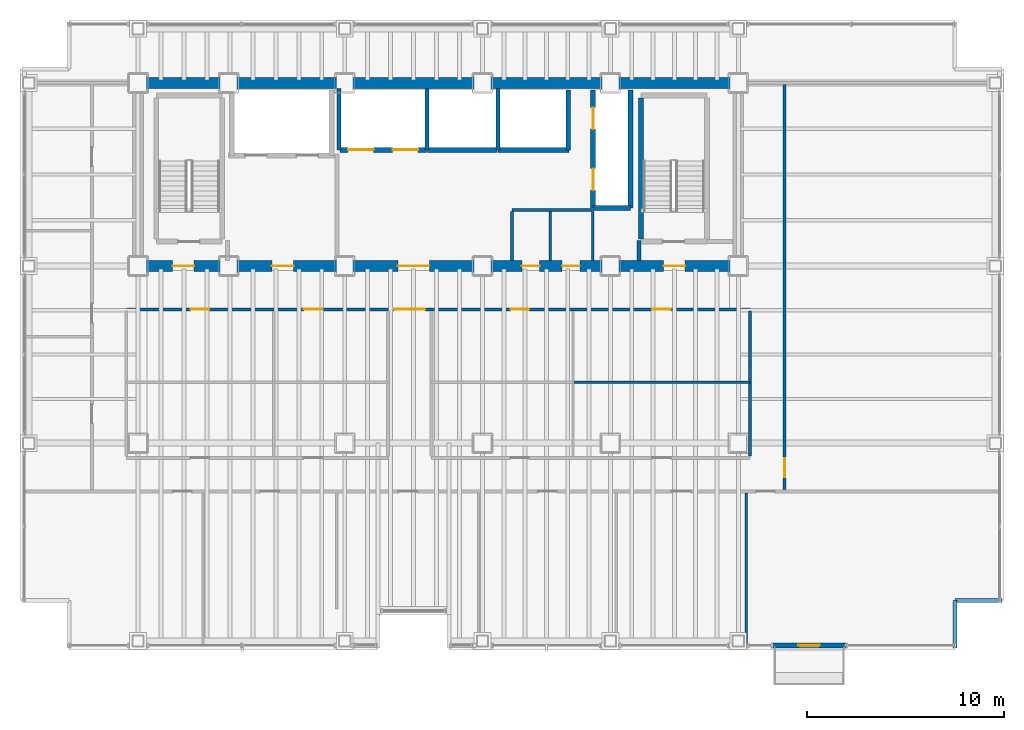
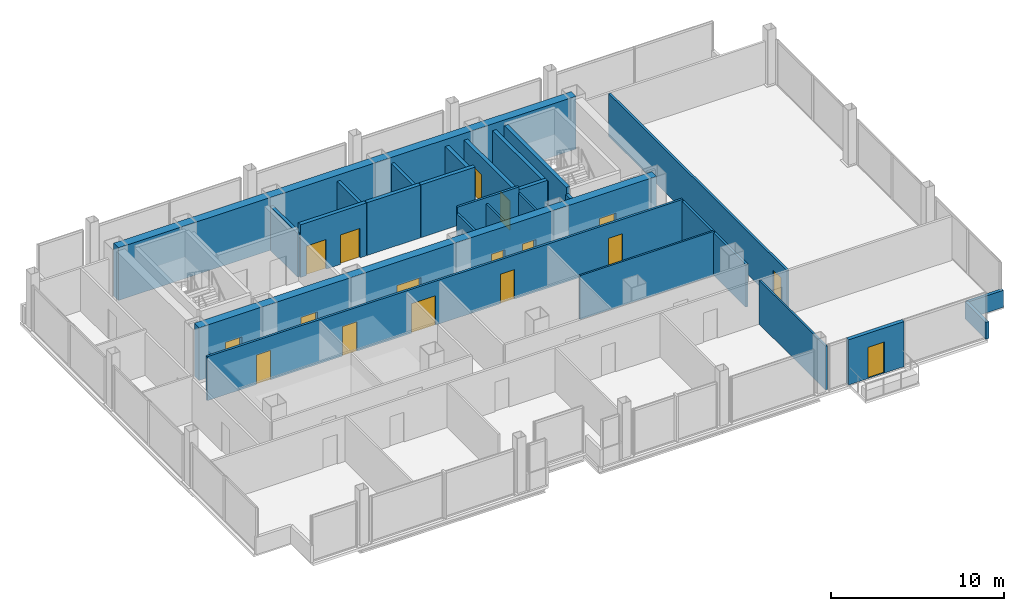
# One storey, part 19 of 22: 26 walls, 17 doors, 17 openings.
"""IFC4 building model written with IfcOpenShell, lengths in metres."""

from ifc_helpers import new_model, si_unit, direction, frame, frame_2d, origin, place, context, subcontext, project, spatial, rectangle, extrude, material, layer, layer_set, type_object, element, fill, save


model = new_model("IFC4")

# Units and contexts
model_context = context("Model", 3, precision=1e-05, world=origin(), true_north=direction((0.0, 1.0)))
body_context = subcontext(model_context, "Body", "Model", "MODEL_VIEW")
ifc_project = project(units=[si_unit("LENGTHUNIT", "METRE"), si_unit("AREAUNIT", "SQUARE_METRE"), si_unit("VOLUMEUNIT", "CUBIC_METRE"), si_unit("PLANEANGLEUNIT", "RADIAN"), si_unit("MASSUNIT", "GRAM", prefix="KILO")], contexts=[model_context])

# Site, building, storey
site_placement = place(None, origin())
site = spatial("IfcSite", under=ifc_project, at=site_placement, CompositionType="ELEMENT")
building_placement = place(site_placement, origin())
building = spatial("IfcBuilding", under=site, at=building_placement, Name="Noeulbin Bourse Tower", CompositionType="ELEMENT")
storey_placement = place(building_placement, frame((0.0, 0.0, 85.0)))
storey = spatial("IfcBuildingStorey", under=building, at=storey_placement, Name="L21", CompositionType="ELEMENT", Elevation=85.0)

# Wall, openings, doors
ifc_material_1 = material(Name="Concrete C60/75", Category="concrete")
ifc_layer_1 = layer(ifc_material_1, 0.550048828125)
ifc_layer_set_1 = layer_set([ifc_layer_1], Name="Concrete C60/75")
wall_type_1 = type_object("IfcWallType", Name="WAL-CORE-550", PredefinedType="SHEAR", material=ifc_layer_set_1)
wall_1_placement = place(storey_placement, frame((13.5, 29.0, 0.0), z_axis=(0.0, 0.0, 1.0), x_axis=(1.0, 0.0, 0.0)))
wall_1 = element("IfcWall", 1, at=wall_1_placement, inside=storey, type_object=wall_type_1, Name="Rear Core South Shear Wall L21", PredefinedType="SHEAR", context=body_context, shape_type="SweptSolid", body=[
    extrude(rectangle(XDim=30.5, YDim=0.550048828125, at=frame_2d((15.25, 0.0))), origin(), (0.0, 0.0, 1.0), 3.719970703125),
])
opening_1_placement = place(wall_1_placement, frame((1.75, 0.0, 0.0)))
opening_1 = element("IfcOpeningElement", 2, at=opening_1_placement, cuts=wall_1, Name="Opening FD-11", PredefinedType="OPENING", context=body_context, shape_type="SweptSolid", body=[
    extrude(rectangle(XDim=1.10009765625, YDim=2.080078125, at=frame_2d((0.550048828125, 1.0400390625))), frame((0.0, 0.284912109375, 0.0), z_axis=(0.0, -1.0, 0.0), x_axis=(1.0, 0.0, 0.0)), (0.0, 0.0, 1.0), 0.570068359375),
])
opening_2_placement = place(wall_1_placement, frame((26.699951171875, 0.0, 0.0)))
opening_2 = element("IfcOpeningElement", 3, at=opening_2_placement, cuts=wall_1, Name="Opening FD-11", PredefinedType="OPENING", context=body_context, shape_type="SweptSolid", body=[
    extrude(rectangle(XDim=1.10009765625, YDim=2.080078125, at=frame_2d((0.550048828125, 1.0400390625))), frame((0.0, 0.284912109375, 0.0), z_axis=(0.0, -1.0, 0.0), x_axis=(1.0, 0.0, 0.0)), (0.0, 0.0, 1.0), 0.570068359375),
])
opening_3_placement = place(wall_1_placement, frame((6.800048828125, 0.0, 0.0)))
opening_3 = element("IfcOpeningElement", 4, at=opening_3_placement, cuts=wall_1, Name="Opening FD-11", PredefinedType="OPENING", context=body_context, shape_type="SweptSolid", body=[
    extrude(rectangle(XDim=1.10009765625, YDim=2.080078125, at=frame_2d((0.550048828125, 1.0400390625))), frame((0.0, 0.284912109375, 0.0), z_axis=(0.0, -1.0, 0.0), x_axis=(1.0, 0.0, 0.0)), (0.0, 0.0, 1.0), 0.570068359375),
])
opening_4_placement = place(wall_1_placement, frame((13.199951171875, 0.0, 0.0)))
opening_4 = element("IfcOpeningElement", 5, at=opening_4_placement, cuts=wall_1, Name="Opening ID-16", PredefinedType="OPENING", context=body_context, shape_type="SweptSolid", body=[
    extrude(rectangle(XDim=1.60009765625, YDim=2.080078125, at=frame_2d((0.800048828125, 1.0400390625))), frame((0.0, 0.284912109375, 0.0), z_axis=(0.0, -1.0, 0.0), x_axis=(1.0, 0.0, 0.0)), (0.0, 0.0, 1.0), 0.570068359375),
])
opening_5_placement = place(wall_1_placement, frame((19.5, 0.0, 0.0)))
opening_5 = element("IfcOpeningElement", 6, at=opening_5_placement, cuts=wall_1, Name="Opening FD-09", PredefinedType="OPENING", context=body_context, shape_type="SweptSolid", body=[
    extrude(rectangle(XDim=0.89990234375, YDim=2.080078125, at=frame_2d((0.449951171875, 1.0400390625))), frame((0.0, 0.284912109375, 0.0), z_axis=(0.0, -1.0, 0.0), x_axis=(1.0, 0.0, 0.0)), (0.0, 0.0, 1.0), 0.570068359375),
])
opening_6_placement = place(wall_1_placement, frame((21.550048828125, 0.0, 0.0)))
opening_6 = element("IfcOpeningElement", 7, at=opening_6_placement, cuts=wall_1, Name="Opening FD-09", PredefinedType="OPENING", context=body_context, shape_type="SweptSolid", body=[
    extrude(rectangle(XDim=0.89990234375, YDim=2.080078125, at=frame_2d((0.449951171875, 1.0400390625))), frame((0.0, 0.284912109375, 0.0), z_axis=(0.0, -1.0, 0.0), x_axis=(1.0, 0.0, 0.0)), (0.0, 0.0, 1.0), 0.570068359375),
])
ifc_material_2 = material(Name="Acoustic Glazed Aluminium", Category="aluminium")
door_type_1 = type_object("IfcDoorType", Name="DR-DBL-1600", OperationType="DOUBLE_DOOR_SINGLE_SWING", PredefinedType="DOOR", material=ifc_material_2)
door_1_placement = place(opening_4_placement, origin())
door_1 = element("IfcDoor", 8, at=door_1_placement, inside=storey, type_object=door_type_1, Name="Passenger Lift Lobby Portal L21", OperationType="DOUBLE_DOOR_SINGLE_SWING", OverallHeight=2.080078125, OverallWidth=1.60009765625, PredefinedType="DOOR", context=body_context, shape_type="SweptSolid", body=[
    extrude(rectangle(XDim=1.60009765625, YDim=2.080078125, at=frame_2d((0.800048828125, 1.0400390625))), frame((0.0, 0.02490234375, 0.0), z_axis=(0.0, -1.0, 0.0), x_axis=(1.0, 0.0, 0.0)), (0.0, 0.0, 1.0), 0.050048828125),
])
fill(opening_4, door_1)
ifc_material_3 = material(Name="Fire-Rated Timber Core", Category="wood")
door_type_2 = type_object("IfcDoorType", Name="DR-FD30-900", OperationType="SINGLE_SWING_RIGHT", PredefinedType="DOOR", material=ifc_material_3)
door_2_placement = place(opening_5_placement, origin())
door_2 = element("IfcDoor", 9, at=door_2_placement, inside=storey, type_object=door_type_2, Name="Interior Door L21-05", OperationType="SINGLE_SWING_RIGHT", OverallHeight=2.080078125, OverallWidth=0.89990234375, PredefinedType="DOOR", context=body_context, shape_type="SweptSolid", body=[
    extrude(rectangle(XDim=0.89990234375, YDim=2.080078125, at=frame_2d((0.449951171875, 1.0400390625))), frame((0.0, 0.02490234375, 0.0), z_axis=(0.0, -1.0, 0.0), x_axis=(1.0, 0.0, 0.0)), (0.0, 0.0, 1.0), 0.050048828125),
])
fill(opening_5, door_2)
door_3_placement = place(opening_6_placement, origin())
door_3 = element("IfcDoor", 10, at=door_3_placement, inside=storey, type_object=door_type_2, Name="Interior Door L21-06", OperationType="SINGLE_SWING_LEFT", OverallHeight=2.080078125, OverallWidth=0.89990234375, PredefinedType="DOOR", context=body_context, shape_type="SweptSolid", body=[
    extrude(rectangle(XDim=0.89990234375, YDim=2.080078125, at=frame_2d((0.449951171875, 1.0400390625))), frame((0.0, 0.02490234375, 0.0), z_axis=(0.0, -1.0, 0.0), x_axis=(1.0, 0.0, 0.0)), (0.0, 0.0, 1.0), 0.050048828125),
])
fill(opening_6, door_3)
ifc_material_4 = material(Name="Fire-Rated Insulated Steel", Category="steel")
door_type_3 = type_object("IfcDoorType", Name="DR-FD60-1100", OperationType="SINGLE_SWING_LEFT", PredefinedType="DOOR", material=ifc_material_4)
door_4_placement = place(opening_1_placement, origin())
door_4 = element("IfcDoor", 11, at=door_4_placement, inside=storey, type_object=door_type_3, Name="West Stair Lobby Door L21", OperationType="SINGLE_SWING_RIGHT", OverallHeight=2.080078125, OverallWidth=1.10009765625, PredefinedType="DOOR", context=body_context, shape_type="SweptSolid", body=[
    extrude(rectangle(XDim=1.10009765625, YDim=2.080078125, at=frame_2d((0.550048828125, 1.0400390625))), frame((0.0, 0.02490234375, 0.0), z_axis=(0.0, -1.0, 0.0), x_axis=(1.0, 0.0, 0.0)), (0.0, 0.0, 1.0), 0.050048828125),
])
fill(opening_1, door_4)
door_5_placement = place(opening_2_placement, origin())
door_5 = element("IfcDoor", 12, at=door_5_placement, inside=storey, type_object=door_type_3, Name="East Stair Lobby Door L21", OperationType="SINGLE_SWING_LEFT", OverallHeight=2.080078125, OverallWidth=1.10009765625, PredefinedType="DOOR", context=body_context, shape_type="SweptSolid", body=[
    extrude(rectangle(XDim=1.10009765625, YDim=2.080078125, at=frame_2d((0.550048828125, 1.0400390625))), frame((0.0, 0.02490234375, 0.0), z_axis=(0.0, -1.0, 0.0), x_axis=(1.0, 0.0, 0.0)), (0.0, 0.0, 1.0), 0.050048828125),
])
fill(opening_2, door_5)
door_6_placement = place(opening_3_placement, origin())
door_6 = element("IfcDoor", 13, at=door_6_placement, inside=storey, type_object=door_type_3, Name="Firefighting Lobby Door L21", OperationType="SINGLE_SWING_RIGHT", OverallHeight=2.080078125, OverallWidth=1.10009765625, PredefinedType="DOOR", context=body_context, shape_type="SweptSolid", body=[
    extrude(rectangle(XDim=1.10009765625, YDim=2.080078125, at=frame_2d((0.550048828125, 1.0400390625))), frame((0.0, 0.02490234375, 0.0), z_axis=(0.0, -1.0, 0.0), x_axis=(1.0, 0.0, 0.0)), (0.0, 0.0, 1.0), 0.050048828125),
])
fill(opening_3, door_6)

# Wall
wall_2_placement = place(storey_placement, frame((13.5, 38.300048828125, 0.0), z_axis=(0.0, 0.0, 1.0), x_axis=(1.0, 0.0, 0.0)))
element("IfcWall", 14, at=wall_2_placement, inside=storey, type_object=wall_type_1, Name="Rear Core North Shear Wall L21", PredefinedType="SHEAR", context=body_context, shape_type="SweptSolid", body=[
    extrude(rectangle(XDim=30.5, YDim=0.550048828125, at=frame_2d((15.25, 0.0))), origin(), (0.0, 0.0, 1.0), 3.719970703125),
])

# Wall, opening, door
ifc_material_5 = material(Name="Precast Concrete C40/50", Category="concrete")
ifc_layer_2 = layer(ifc_material_5, 0.25)
ifc_layer_set_2 = layer_set([ifc_layer_2], Name="Precast Concrete C40/50")
wall_type_2 = type_object("IfcWallType", Name="WAL-EXT-250", PredefinedType="STANDARD", material=ifc_layer_set_2)
wall_3_placement = place(storey_placement, frame((45.75, 9.719970703125, 0.0), z_axis=(0.0, 0.0, 1.0), x_axis=(1.0, 0.0, 0.0)))
wall_3 = element("IfcWall", 15, at=wall_3_placement, inside=storey, type_object=wall_type_2, Name="Balcony Threshold Wall L21", PredefinedType="STANDARD", context=body_context, shape_type="SweptSolid", body=[
    extrude(rectangle(XDim=3.699951171875, YDim=0.25, at=frame_2d((1.85009765625, 0.0))), origin(), (0.0, 0.0, 1.0), 3.179931640625),
])
opening_7_placement = place(wall_3_placement, frame((1.300048828125, 0.0, 0.0)))
opening_7 = element("IfcOpeningElement", 16, at=opening_7_placement, cuts=wall_3, Name="Opening BD-11", PredefinedType="OPENING", context=body_context, shape_type="SweptSolid", body=[
    extrude(rectangle(XDim=1.10009765625, YDim=2.199951171875, at=frame_2d((0.550048828125, 1.10009765625))), frame((0.0, 0.135009765625, 0.0), z_axis=(0.0, -1.0, 0.0), x_axis=(1.0, 0.0, 0.0)), (0.0, 0.0, 1.0), 0.27001953125),
])
ifc_material_6 = material(Name="Thermally Broken Aluminium Framed Glass", Category="aluminium")
door_type_4 = type_object("IfcDoorType", Name="DR-BAL-1100", OperationType="SINGLE_SWING_LEFT", PredefinedType="DOOR", material=ifc_material_6)
door_7_placement = place(opening_7_placement, origin())
door_7 = element("IfcDoor", 17, at=door_7_placement, inside=storey, type_object=door_type_4, Name="Tree-Balcony Access Door BD-L21", OperationType="SINGLE_SWING_LEFT", OverallHeight=2.199951171875, OverallWidth=1.10009765625, PredefinedType="DOOR", context=body_context, shape_type="SweptSolid", body=[
    extrude(rectangle(XDim=1.10009765625, YDim=2.199951171875, at=frame_2d((0.550048828125, 1.10009765625))), frame((0.0, 0.02490234375, 0.0), z_axis=(0.0, -1.0, 0.0), x_axis=(1.0, 0.0, 0.0)), (0.0, 0.0, 1.0), 0.050048828125),
])
fill(opening_7, door_7)

# Walls
ifc_material_7 = material(Name="Concrete C40/50", Category="concrete")
ifc_layer_3 = layer(ifc_material_7, 0.199951171875)
ifc_layer_set_3 = layer_set([ifc_layer_3], Name="Concrete C40/50")
wall_type_3 = type_object("IfcWallType", Name="WAL-FIRE-200", PredefinedType="STANDARD", material=ifc_layer_set_3)
wall_4_placement = place(storey_placement, frame((38.949951171875, 29.284912109375, 0.0), z_axis=(0.0, 0.0, 1.0), x_axis=(0.0, 1.0, 0.0)))
element("IfcWall", 18, at=wall_4_placement, inside=storey, type_object=wall_type_3, Name="Interior Partition Wall L21-16", PredefinedType="STANDARD", context=body_context, shape_type="SweptSolid", body=[
    extrude(rectangle(XDim=1.01513671875, YDim=0.199951171875, at=frame_2d((0.507568359375, 0.0))), origin(), (0.0, 0.0, 1.0), 3.300048828125),
])
ifc_layer_4 = layer(ifc_material_7, 0.199951171875)
ifc_layer_set_4 = layer_set([ifc_layer_4], Name="Concrete C40/50")
wall_type_4 = type_object("IfcWallType", Name="WAL-PAR-200", PredefinedType="PARAPET", material=ifc_layer_set_4)
for number, where, z_axis, x_axis, name in (
    (19, (55.0, 9.60009765625, 0.0), (0.0, 0.0, 1.0), (0.0, 1.0, 0.0), "Corner Notch Parapet L21-SE1"),
    (20, (55.0, 12.0, 0.0), (0.0, 0.0, 1.0), (1.0, 0.0, 0.0), "Corner Notch Parapet L21-SE2"),
):
    element("IfcWall", number, at=place(storey_placement, frame(where, z_axis=z_axis, x_axis=x_axis)), inside=storey, type_object=wall_type_4, Name=name, PredefinedType="PARAPET", context=body_context, shape_type="SweptSolid", body=[
        extrude(rectangle(XDim=2.39990234375, YDim=0.199951171875, at=frame_2d((1.199951171875, 0.0))), origin(), (0.0, 0.0, 1.0), 1.199951171875),
    ])
ifc_material_8 = material(Name="Steel Stud Gypsum Partition", Category="steel")
ifc_layer_5 = layer(ifc_material_8, 0.1201171875)
ifc_layer_set_5 = layer_set([ifc_layer_5], Name="Steel Stud Gypsum Partition")
wall_type_5 = type_object("IfcWallType", Name="WAL-PRT-120", PredefinedType="PARTITIONING", material=ifc_layer_set_5)
wall_5_placement = place(storey_placement, frame((35.60009765625, 23.10009765625, 0.0), z_axis=(0.0, 0.0, 1.0), x_axis=(1.0, 0.0, 0.0)))
element("IfcWall", 21, at=wall_5_placement, inside=storey, type_object=wall_type_5, Name="Interior Partition Wall L21-12", PredefinedType="PARTITIONING", context=body_context, shape_type="SweptSolid", body=[
    extrude(rectangle(XDim=9.0, YDim=0.1201171875, at=frame_2d((4.5, 0.0))), origin(), (0.0, 0.0, 1.0), 3.10009765625),
])
for number, where, z_axis, x_axis, name in (
    (22, (36.60009765625, 29.284912109375, 0.0), (0.0, 0.0, 1.0), (0.0, 1.0, 0.0), "Interior Partition Wall L21-19"),
    (23, (34.449951171875, 29.284912109375, 0.0), (0.0, 0.0, 1.0), (0.0, 1.0, 0.0), "Interior Partition Wall L21-20"),
):
    element("IfcWall", number, at=place(storey_placement, frame(where, z_axis=z_axis, x_axis=x_axis)), inside=storey, type_object=wall_type_5, Name=name, PredefinedType="PARTITIONING", context=body_context, shape_type="SweptSolid", body=[
        extrude(rectangle(XDim=2.47998046875, YDim=0.1201171875, at=frame_2d((1.239990234375, 0.0))), origin(), (0.0, 0.0, 1.0), 3.300048828125),
    ])
wall_6_placement = place(storey_placement, frame((44.39990234375, 9.81005859375, 0.0), z_axis=(0.0, 0.0, 1.0), x_axis=(0.0, 1.0, 0.0)))
element("IfcWall", 24, at=wall_6_placement, inside=storey, type_object=wall_type_5, Name="Interior Partition Wall L21-31", PredefinedType="PARTITIONING", context=body_context, shape_type="SweptSolid", body=[
    extrude(rectangle(XDim=7.655029296875, YDim=0.1201171875, at=frame_2d((3.82763671875, 0.0))), origin(), (0.0, 0.0, 1.0), 3.10009765625),
])
ifc_material_9 = material(Name="Steel Stud Acoustic Gypsum Board", Category="steel")
ifc_layer_6 = layer(ifc_material_9, 0.14990234375)
ifc_layer_set_6 = layer_set([ifc_layer_6], Name="Steel Stud Acoustic Gypsum Board")
wall_type_6 = type_object("IfcWallType", Name="WAL-PRT-150", PredefinedType="PARTITIONING", material=ifc_layer_set_6)
wall_7_placement = place(storey_placement, frame((32.5, 31.85009765625, 0.0), z_axis=(0.0, 0.0, 1.0), x_axis=(1.0, 0.0, 0.0)))
element("IfcWall", 25, at=wall_7_placement, inside=storey, type_object=wall_type_6, Name="Interior Partition Wall L21-02", PredefinedType="PARTITIONING", context=body_context, shape_type="SweptSolid", body=[
    extrude(rectangle(XDim=4.10009765625, YDim=0.14990234375, at=frame_2d((2.050048828125, 0.0))), origin(), (0.0, 0.0, 1.0), 3.719970703125),
])

# Wall, openings, doors
wall_8_placement = place(storey_placement, frame((12.89990234375, 26.800048828125, 0.0), z_axis=(0.0, 0.0, 1.0), x_axis=(1.0, 0.0, 0.0)))
wall_8 = element("IfcWall", 26, at=wall_8_placement, inside=storey, type_object=wall_type_6, Name="Interior Partition Wall L21-03", PredefinedType="PARTITIONING", context=body_context, shape_type="SweptSolid", body=[
    extrude(rectangle(XDim=31.7001953125, YDim=0.14990234375, at=frame_2d((15.85009765625, 0.0))), origin(), (0.0, 0.0, 1.0), 3.10009765625),
])
opening_8_placement = place(wall_8_placement, frame((13.60009765625, 0.0, 0.0)))
opening_8 = element("IfcOpeningElement", 27, at=opening_8_placement, cuts=wall_8, Name="Opening ID-16", PredefinedType="OPENING", context=body_context, shape_type="SweptSolid", body=[
    extrude(rectangle(XDim=1.60009765625, YDim=2.080078125, at=frame_2d((0.800048828125, 1.0400390625))), frame((0.0, 0.0849609375, 0.0), z_axis=(0.0, -1.0, 0.0), x_axis=(1.0, 0.0, 0.0)), (0.0, 0.0, 1.0), 0.169921875),
])
opening_9_placement = place(wall_8_placement, frame((3.27490234375, 0.0, 0.0)))
opening_9 = element("IfcOpeningElement", 28, at=opening_9_placement, cuts=wall_8, Name="Opening ID-09", PredefinedType="OPENING", context=body_context, shape_type="SweptSolid", body=[
    extrude(rectangle(XDim=0.949951171875, YDim=2.080078125, at=frame_2d((0.47509765625, 1.0400390625))), frame((0.0, 0.0849609375, 0.0), z_axis=(0.0, -1.0, 0.0), x_axis=(1.0, 0.0, 0.0)), (0.0, 0.0, 1.0), 0.169921875),
])
opening_10_placement = place(wall_8_placement, frame((9.02490234375, 0.0, 0.0)))
opening_10 = element("IfcOpeningElement", 29, at=opening_10_placement, cuts=wall_8, Name="Opening ID-09", PredefinedType="OPENING", context=body_context, shape_type="SweptSolid", body=[
    extrude(rectangle(XDim=0.949951171875, YDim=2.080078125, at=frame_2d((0.47509765625, 1.0400390625))), frame((0.0, 0.0849609375, 0.0), z_axis=(0.0, -1.0, 0.0), x_axis=(1.0, 0.0, 0.0)), (0.0, 0.0, 1.0), 0.169921875),
])
opening_11_placement = place(wall_8_placement, frame((19.52490234375, 0.0, 0.0)))
opening_11 = element("IfcOpeningElement", 30, at=opening_11_placement, cuts=wall_8, Name="Opening ID-09", PredefinedType="OPENING", context=body_context, shape_type="SweptSolid", body=[
    extrude(rectangle(XDim=0.949951171875, YDim=2.080078125, at=frame_2d((0.47509765625, 1.0400390625))), frame((0.0, 0.0849609375, 0.0), z_axis=(0.0, -1.0, 0.0), x_axis=(1.0, 0.0, 0.0)), (0.0, 0.0, 1.0), 0.169921875),
])
opening_12_placement = place(wall_8_placement, frame((26.72509765625, 0.0, 0.0)))
opening_12 = element("IfcOpeningElement", 31, at=opening_12_placement, cuts=wall_8, Name="Opening ID-09", PredefinedType="OPENING", context=body_context, shape_type="SweptSolid", body=[
    extrude(rectangle(XDim=0.949951171875, YDim=2.080078125, at=frame_2d((0.47509765625, 1.0400390625))), frame((0.0, 0.0849609375, 0.0), z_axis=(0.0, -1.0, 0.0), x_axis=(1.0, 0.0, 0.0)), (0.0, 0.0, 1.0), 0.169921875),
])
door_8_placement = place(opening_8_placement, origin())
door_8 = element("IfcDoor", 32, at=door_8_placement, inside=storey, type_object=door_type_1, Name="Interior Door L21-07", OperationType="DOUBLE_DOOR_SINGLE_SWING", OverallHeight=2.080078125, OverallWidth=1.60009765625, PredefinedType="DOOR", context=body_context, shape_type="SweptSolid", body=[
    extrude(rectangle(XDim=1.60009765625, YDim=2.080078125, at=frame_2d((0.800048828125, 1.0400390625))), frame((0.0, 0.02490234375, 0.0), z_axis=(0.0, -1.0, 0.0), x_axis=(1.0, 0.0, 0.0)), (0.0, 0.0, 1.0), 0.050048828125),
])
fill(opening_8, door_8)
ifc_material_10 = material(Name="Acoustic Solid-Core Timber", Category="wood")
door_type_5 = type_object("IfcDoorType", Name="DR-SINGLE-950", OperationType="SINGLE_SWING_LEFT", PredefinedType="DOOR", material=ifc_material_10)
door_9_placement = place(opening_9_placement, origin())
door_9 = element("IfcDoor", 33, at=door_9_placement, inside=storey, type_object=door_type_5, Name="Interior Door L21-14", OperationType="SINGLE_SWING_LEFT", OverallHeight=2.080078125, OverallWidth=0.949951171875, PredefinedType="DOOR", context=body_context, shape_type="SweptSolid", body=[
    extrude(rectangle(XDim=0.949951171875, YDim=2.080078125, at=frame_2d((0.47509765625, 1.0400390625))), frame((0.0, 0.02490234375, 0.0), z_axis=(0.0, -1.0, 0.0), x_axis=(1.0, 0.0, 0.0)), (0.0, 0.0, 1.0), 0.050048828125),
])
fill(opening_9, door_9)
door_10_placement = place(opening_10_placement, origin())
door_10 = element("IfcDoor", 34, at=door_10_placement, inside=storey, type_object=door_type_5, Name="Interior Door L21-16", OperationType="SINGLE_SWING_LEFT", OverallHeight=2.080078125, OverallWidth=0.949951171875, PredefinedType="DOOR", context=body_context, shape_type="SweptSolid", body=[
    extrude(rectangle(XDim=0.949951171875, YDim=2.080078125, at=frame_2d((0.47509765625, 1.0400390625))), frame((0.0, 0.02490234375, 0.0), z_axis=(0.0, -1.0, 0.0), x_axis=(1.0, 0.0, 0.0)), (0.0, 0.0, 1.0), 0.050048828125),
])
fill(opening_10, door_10)
door_11_placement = place(opening_11_placement, origin())
door_11 = element("IfcDoor", 35, at=door_11_placement, inside=storey, type_object=door_type_5, Name="Interior Door L21-18", OperationType="SINGLE_SWING_LEFT", OverallHeight=2.080078125, OverallWidth=0.949951171875, PredefinedType="DOOR", context=body_context, shape_type="SweptSolid", body=[
    extrude(rectangle(XDim=0.949951171875, YDim=2.080078125, at=frame_2d((0.47509765625, 1.0400390625))), frame((0.0, 0.02490234375, 0.0), z_axis=(0.0, -1.0, 0.0), x_axis=(1.0, 0.0, 0.0)), (0.0, 0.0, 1.0), 0.050048828125),
])
fill(opening_11, door_11)
door_12_placement = place(opening_12_placement, origin())
door_12 = element("IfcDoor", 36, at=door_12_placement, inside=storey, type_object=door_type_5, Name="Interior Door L21-20", OperationType="SINGLE_SWING_LEFT", OverallHeight=2.080078125, OverallWidth=0.949951171875, PredefinedType="DOOR", context=body_context, shape_type="SweptSolid", body=[
    extrude(rectangle(XDim=0.949951171875, YDim=2.080078125, at=frame_2d((0.47509765625, 1.0400390625))), frame((0.0, 0.02490234375, 0.0), z_axis=(0.0, -1.0, 0.0), x_axis=(1.0, 0.0, 0.0)), (0.0, 0.0, 1.0), 0.050048828125),
])
fill(opening_12, door_12)

# Wall
wall_9_placement = place(storey_placement, frame((32.5, 29.284912109375, 0.0), z_axis=(0.0, 0.0, 1.0), x_axis=(0.0, 1.0, 0.0)))
element("IfcWall", 37, at=wall_9_placement, inside=storey, type_object=wall_type_6, Name="Interior Partition Wall L21-18", PredefinedType="PARTITIONING", context=body_context, shape_type="SweptSolid", body=[
    extrude(rectangle(XDim=2.47998046875, YDim=0.14990234375, at=frame_2d((1.239990234375, 0.0))), origin(), (0.0, 0.0, 1.0), 3.300048828125),
])

# Wall, opening, door
wall_10_placement = place(storey_placement, frame((46.35009765625, 17.635009765625, 0.0), z_axis=(0.0, 0.0, 1.0), x_axis=(0.0, 1.0, 0.0)))
wall_10 = element("IfcWall", 38, at=wall_10_placement, inside=storey, type_object=wall_type_6, Name="Interior Partition Wall L21-25", PredefinedType="PARTITIONING", context=body_context, shape_type="SweptSolid", body=[
    extrude(rectangle(XDim=20.580078125, YDim=0.14990234375, at=frame_2d((10.2900390625, 0.0))), origin(), (0.0, 0.0, 1.0), 3.0),
])
opening_13_placement = place(wall_10_placement, frame((0.639892578125, 0.0, 0.0)))
opening_13 = element("IfcOpeningElement", 39, at=opening_13_placement, cuts=wall_10, Name="Opening ID-09", PredefinedType="OPENING", context=body_context, shape_type="SweptSolid", body=[
    extrude(rectangle(XDim=0.949951171875, YDim=2.080078125, at=frame_2d((0.47509765625, 1.0400390625))), frame((0.0, 0.0849609375, 0.0), z_axis=(0.0, -1.0, 0.0), x_axis=(1.0, 0.0, 0.0)), (0.0, 0.0, 1.0), 0.169921875),
])
door_13_placement = place(opening_13_placement, origin())
door_13 = element("IfcDoor", 40, at=door_13_placement, inside=storey, type_object=door_type_5, Name="Interior Door L21-25", OperationType="SINGLE_SWING_RIGHT", OverallHeight=2.080078125, OverallWidth=0.949951171875, PredefinedType="DOOR", context=body_context, shape_type="SweptSolid", body=[
    extrude(rectangle(XDim=0.949951171875, YDim=2.080078125, at=frame_2d((0.47509765625, 1.0400390625))), frame((0.0, 0.02490234375, 0.0), z_axis=(0.0, -1.0, 0.0), x_axis=(1.0, 0.0, 0.0)), (0.0, 0.0, 1.0), 0.050048828125),
])
fill(opening_13, door_13)

# Walls
wall_11_placement = place(storey_placement, frame((44.60009765625, 19.3349609375, 0.0), z_axis=(0.0, 0.0, 1.0), x_axis=(0.0, 1.0, 0.0)))
element("IfcWall", 41, at=wall_11_placement, inside=storey, type_object=wall_type_6, Name="Interior Partition Wall L21-26", PredefinedType="PARTITIONING", context=body_context, shape_type="SweptSolid", body=[
    extrude(rectangle(XDim=7.380126953125, YDim=0.14990234375, at=frame_2d((3.68994140625, 0.0))), origin(), (0.0, 0.0, 1.0), 3.0),
])
ifc_layer_7 = layer(ifc_material_7, 0.25)
ifc_layer_set_7 = layer_set([ifc_layer_7], Name="Concrete C40/50")
wall_type_7 = type_object("IfcWallType", Name="WAL-SHFT-250", PredefinedType="STANDARD", material=ifc_layer_set_7)
wall_12_placement = place(storey_placement, frame((39.054931640625, 30.360107421875, 0.0), z_axis=(0.0, 0.0, 1.0), x_axis=(0.0, 1.0, 0.0)))
element("IfcWall", 42, at=wall_12_placement, inside=storey, type_object=wall_type_7, Name="Stair ST-2 West Shaft Wall L21", PredefinedType="STANDARD", context=body_context, shape_type="SweptSolid", body=[
    extrude(rectangle(XDim=7.183837890625, YDim=0.25, at=frame_2d((3.591796875, 0.0))), origin(), (0.0, 0.0, 1.0), 3.719970703125),
])

# Wall, openings, doors
wall_13_placement = place(storey_placement, frame((36.6201171875, 31.949951171875, 0.0), z_axis=(0.0, 0.0, 1.0), x_axis=(0.0, 1.0, 0.0)))
wall_13 = element("IfcWall", 43, at=wall_13_placement, inside=storey, type_object=wall_type_7, Name="Service Lift Shaft Wall L21", PredefinedType="STANDARD", context=body_context, shape_type="SweptSolid", body=[
    extrude(rectangle(XDim=6.0, YDim=0.25, at=frame_2d((3.0, 0.0))), origin(), (0.0, 0.0, 1.0), 3.300048828125),
])
opening_14_placement = place(wall_13_placement, frame((0.89990234375, 0.0, 0.0)))
opening_14 = element("IfcOpeningElement", 44, at=opening_14_placement, cuts=wall_13, Name="Opening LD-11", PredefinedType="OPENING", context=body_context, shape_type="SweptSolid", body=[
    extrude(rectangle(XDim=1.10009765625, YDim=2.080078125, at=frame_2d((0.550048828125, 1.0400390625))), frame((0.0, 0.135009765625, 0.0), z_axis=(0.0, -1.0, 0.0), x_axis=(1.0, 0.0, 0.0)), (0.0, 0.0, 1.0), 0.27001953125),
])
opening_15_placement = place(wall_13_placement, frame((4.0, 0.0, 0.0)))
opening_15 = element("IfcOpeningElement", 45, at=opening_15_placement, cuts=wall_13, Name="Opening LD-11", PredefinedType="OPENING", context=body_context, shape_type="SweptSolid", body=[
    extrude(rectangle(XDim=1.10009765625, YDim=2.080078125, at=frame_2d((0.550048828125, 1.0400390625))), frame((0.0, 0.135009765625, 0.0), z_axis=(0.0, -1.0, 0.0), x_axis=(1.0, 0.0, 0.0)), (0.0, 0.0, 1.0), 0.27001953125),
])
ifc_material_11 = material(Name="Brushed Stainless Steel 316", Category="steel")
door_type_6 = type_object("IfcDoorType", Name="DR-LIFT-1100", OperationType="SLIDING_TO_LEFT", PredefinedType="DOOR", material=ifc_material_11)
door_14_placement = place(opening_14_placement, origin())
door_14 = element("IfcDoor", 46, at=door_14_placement, inside=storey, type_object=door_type_6, Name="Lift Landing Door LD-EL-01-L21", OperationType="SLIDING_TO_LEFT", OverallHeight=2.080078125, OverallWidth=1.10009765625, PredefinedType="DOOR", context=body_context, shape_type="SweptSolid", body=[
    extrude(rectangle(XDim=1.10009765625, YDim=2.080078125, at=frame_2d((0.550048828125, 1.0400390625))), frame((0.0, 0.02490234375, 0.0), z_axis=(0.0, -1.0, 0.0), x_axis=(1.0, 0.0, 0.0)), (0.0, 0.0, 1.0), 0.050048828125),
])
fill(opening_14, door_14)
door_15_placement = place(opening_15_placement, origin())
door_15 = element("IfcDoor", 47, at=door_15_placement, inside=storey, type_object=door_type_6, Name="Lift Landing Door LD-SV-01-L21", OperationType="SLIDING_TO_LEFT", OverallHeight=2.080078125, OverallWidth=1.10009765625, PredefinedType="DOOR", context=body_context, shape_type="SweptSolid", body=[
    extrude(rectangle(XDim=1.10009765625, YDim=2.080078125, at=frame_2d((0.550048828125, 1.0400390625))), frame((0.0, 0.02490234375, 0.0), z_axis=(0.0, -1.0, 0.0), x_axis=(1.0, 0.0, 0.0)), (0.0, 0.0, 1.0), 0.050048828125),
])
fill(opening_15, door_15)

# Walls
wall_14_placement = place(storey_placement, frame((38.52001953125, 31.949951171875, 0.0), z_axis=(0.0, 0.0, 1.0), x_axis=(0.0, 1.0, 0.0)))
element("IfcWall", 48, at=wall_14_placement, inside=storey, type_object=wall_type_7, Name="Service Lift East Shaft Wall L21", PredefinedType="STANDARD", context=body_context, shape_type="SweptSolid", body=[
    extrude(rectangle(XDim=6.0, YDim=0.25, at=frame_2d((3.0, 0.0))), origin(), (0.0, 0.0, 1.0), 3.300048828125),
])
wall_15_placement = place(storey_placement, frame((36.6201171875, 31.949951171875, 0.0), z_axis=(0.0, 0.0, 1.0), x_axis=(1.0, 0.0, 0.0)))
element("IfcWall", 49, at=wall_15_placement, inside=storey, type_object=wall_type_7, Name="Service Lift South Shaft Wall L21", PredefinedType="STANDARD", context=body_context, shape_type="SweptSolid", body=[
    extrude(rectangle(XDim=1.89990234375, YDim=0.25, at=frame_2d((0.949951171875, 0.0))), origin(), (0.0, 0.0, 1.0), 3.47998046875),
])
wall_16_placement = place(storey_placement, frame((35.360107421875, 34.89990234375, 0.0), z_axis=(0.0, 0.0, 1.0), x_axis=(0.0, 1.0, 0.0)))
element("IfcWall", 50, at=wall_16_placement, inside=storey, type_object=wall_type_7, Name="High-Rise Lift East Shaft Wall L21", PredefinedType="STANDARD", context=body_context, shape_type="SweptSolid", body=[
    extrude(rectangle(XDim=3.050048828125, YDim=0.25, at=frame_2d((1.52490234375, 0.0))), origin(), (0.0, 0.0, 1.0), 3.300048828125),
])

# Wall, openings, doors
wall_17_placement = place(storey_placement, frame((23.75, 34.89990234375, 0.0), z_axis=(0.0, 0.0, 1.0), x_axis=(1.0, 0.0, 0.0)))
wall_17 = element("IfcWall", 51, at=wall_17_placement, inside=storey, type_object=wall_type_7, Name="Low-Rise Lift Bank Front L21", PredefinedType="STANDARD", context=body_context, shape_type="SweptSolid", body=[
    extrude(rectangle(XDim=4.39990234375, YDim=0.25, at=frame_2d((2.199951171875, 0.0))), origin(), (0.0, 0.0, 1.0), 3.719970703125),
])
opening_16_placement = place(wall_17_placement, frame((0.419921875, 0.0, 0.0)))
opening_16 = element("IfcOpeningElement", 52, at=opening_16_placement, cuts=wall_17, Name="Opening LD-13", PredefinedType="OPENING", context=body_context, shape_type="SweptSolid", body=[
    extrude(rectangle(XDim=1.300048828125, YDim=2.080078125, at=frame_2d((0.64990234375, 1.0400390625))), frame((0.0, 0.135009765625, 0.0), z_axis=(0.0, -1.0, 0.0), x_axis=(1.0, 0.0, 0.0)), (0.0, 0.0, 1.0), 0.27001953125),
])
opening_17_placement = place(wall_17_placement, frame((2.679931640625, 0.0, 0.0)))
opening_17 = element("IfcOpeningElement", 53, at=opening_17_placement, cuts=wall_17, Name="Opening LD-13", PredefinedType="OPENING", context=body_context, shape_type="SweptSolid", body=[
    extrude(rectangle(XDim=1.300048828125, YDim=2.080078125, at=frame_2d((0.64990234375, 1.0400390625))), frame((0.0, 0.135009765625, 0.0), z_axis=(0.0, -1.0, 0.0), x_axis=(1.0, 0.0, 0.0)), (0.0, 0.0, 1.0), 0.27001953125),
])
door_type_7 = type_object("IfcDoorType", Name="DR-LIFT-1300", OperationType="DOUBLE_DOOR_SLIDING", PredefinedType="DOOR", material=ifc_material_11)
door_16_placement = place(opening_16_placement, origin())
door_16 = element("IfcDoor", 54, at=door_16_placement, inside=storey, type_object=door_type_7, Name="Lift Landing Door LD-PL-L1-L21", OperationType="DOUBLE_DOOR_SLIDING", OverallHeight=2.080078125, OverallWidth=1.300048828125, PredefinedType="DOOR", context=body_context, shape_type="SweptSolid", body=[
    extrude(rectangle(XDim=1.300048828125, YDim=2.080078125, at=frame_2d((0.64990234375, 1.0400390625))), frame((0.0, 0.02490234375, 0.0), z_axis=(0.0, -1.0, 0.0), x_axis=(1.0, 0.0, 0.0)), (0.0, 0.0, 1.0), 0.050048828125),
])
fill(opening_16, door_16)
door_17_placement = place(opening_17_placement, origin())
door_17 = element("IfcDoor", 55, at=door_17_placement, inside=storey, type_object=door_type_7, Name="Lift Landing Door LD-PL-L2-L21", OperationType="DOUBLE_DOOR_SLIDING", OverallHeight=2.080078125, OverallWidth=1.300048828125, PredefinedType="DOOR", context=body_context, shape_type="SweptSolid", body=[
    extrude(rectangle(XDim=1.300048828125, YDim=2.080078125, at=frame_2d((0.64990234375, 1.0400390625))), frame((0.0, 0.02490234375, 0.0), z_axis=(0.0, -1.0, 0.0), x_axis=(1.0, 0.0, 0.0)), (0.0, 0.0, 1.0), 0.050048828125),
])
fill(opening_17, door_17)

# Walls
wall_18_placement = place(storey_placement, frame((28.199951171875, 34.89990234375, 0.0), z_axis=(0.0, 0.0, 1.0), x_axis=(1.0, 0.0, 0.0)))
element("IfcWall", 56, at=wall_18_placement, inside=storey, type_object=wall_type_7, Name="Mid-Rise Lift Bank Front L21", PredefinedType="STANDARD", context=body_context, shape_type="SweptSolid", body=[
    extrude(rectangle(XDim=3.550048828125, YDim=0.25, at=frame_2d((1.77490234375, 0.0))), origin(), (0.0, 0.0, 1.0), 3.719970703125),
])
wall_19_placement = place(storey_placement, frame((31.800048828125, 34.89990234375, 0.0), z_axis=(0.0, 0.0, 1.0), x_axis=(1.0, 0.0, 0.0)))
element("IfcWall", 57, at=wall_19_placement, inside=storey, type_object=wall_type_7, Name="High-Rise Lift Bank Front L21", PredefinedType="STANDARD", context=body_context, shape_type="SweptSolid", body=[
    extrude(rectangle(XDim=3.599853515625, YDim=0.25, at=frame_2d((1.7998046875, 0.0))), origin(), (0.0, 0.0, 1.0), 3.719970703125),
])
wall_20_placement = place(storey_placement, frame((23.719970703125, 34.89990234375, 0.0), z_axis=(0.0, 0.0, 1.0), x_axis=(0.0, 1.0, 0.0)))
element("IfcWall", 58, at=wall_20_placement, inside=storey, type_object=wall_type_7, Name="Hoistway Side Shaft Wall L21-PLLW", PredefinedType="STANDARD", context=body_context, shape_type="SweptSolid", body=[
    extrude(rectangle(XDim=3.1201171875, YDim=0.199951171875, at=frame_2d((1.56005859375, 0.0))), origin(), (0.0, 0.0, 1.0), 3.10009765625),
])
for number, where, z_axis, x_axis, name in (
    (59, (28.179931640625, 34.89990234375, 0.0), (0.0, 0.0, 1.0), (0.0, 1.0, 0.0), "Hoistway Side Shaft Wall L21-PLMW"),
    (60, (31.780029296875, 34.89990234375, 0.0), (0.0, 0.0, 1.0), (0.0, 1.0, 0.0), "Hoistway Side Shaft Wall L21-PLHW"),
):
    element("IfcWall", number, at=place(storey_placement, frame(where, z_axis=z_axis, x_axis=x_axis)), inside=storey, type_object=wall_type_7, Name=name, PredefinedType="STANDARD", context=body_context, shape_type="SweptSolid", body=[
        extrude(rectangle(XDim=3.1201171875, YDim=0.199951171875, at=frame_2d((1.56005859375, 0.0))), origin(), (0.0, 0.0, 1.0), 3.300048828125),
    ])

save(model, "model.ifc")
